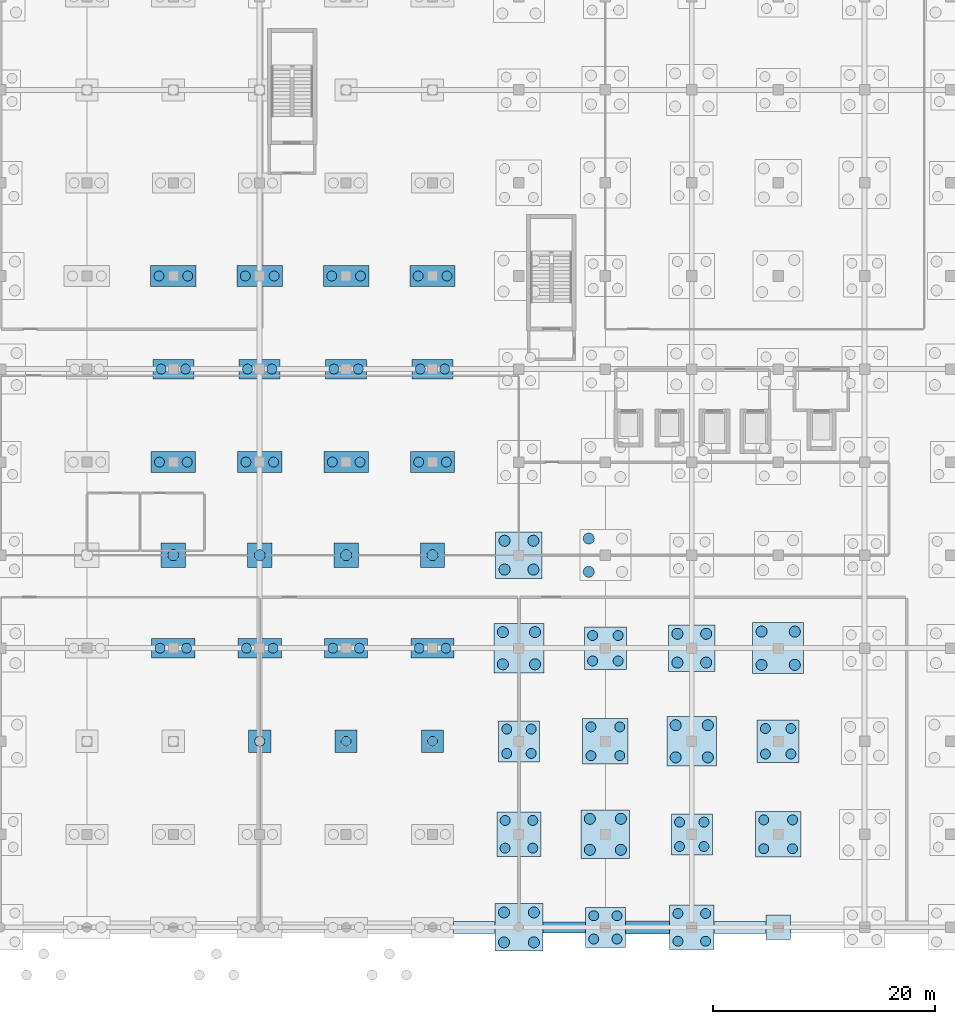
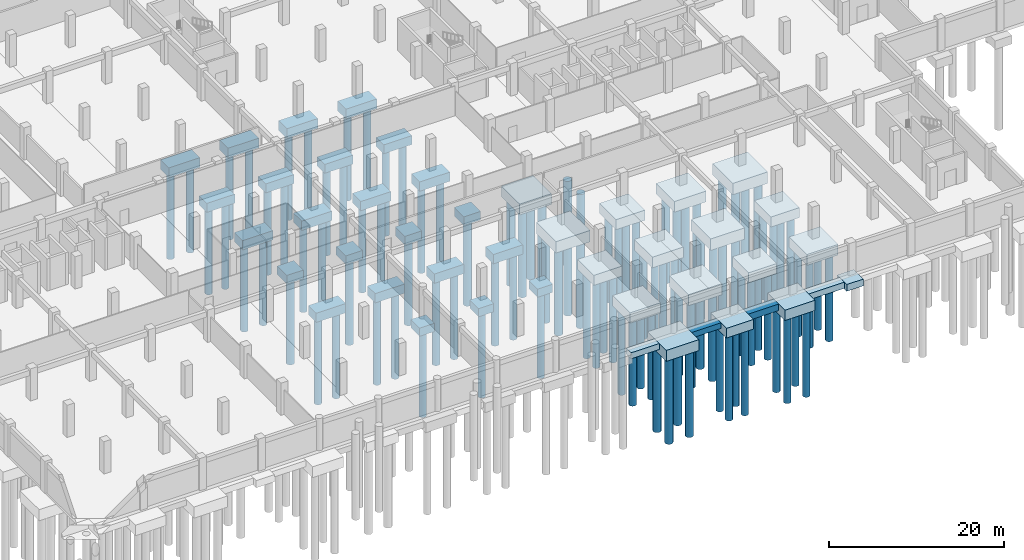
# One storey, part 3 of 30: 105 piles, 44 footings.
"""IFC4 building model written with IfcOpenShell, lengths in metres."""

from ifc_helpers import new_model, si_unit, direction, frame, origin, origin_2d, place, context, subcontext, project, spatial, rectangle, circle, extrude, material, layer, layer_set, material_profile, profile_set, type_object, element, save


model = new_model("IFC4")

# Units and contexts
model_context = context("Model", 3, precision=1e-05, world=origin(), true_north=direction((0.0, 1.0)))
body_context = subcontext(model_context, "Body", "Model", "MODEL_VIEW")
ifc_project = project(units=[si_unit("LENGTHUNIT", "METRE"), si_unit("AREAUNIT", "SQUARE_METRE"), si_unit("VOLUMEUNIT", "CUBIC_METRE"), si_unit("PLANEANGLEUNIT", "RADIAN"), si_unit("MASSUNIT", "GRAM", prefix="KILO"), si_unit("THERMODYNAMICTEMPERATUREUNIT", "KELVIN"), si_unit("POWERUNIT", "WATT")], contexts=[model_context])

# Site, building, storey
site_placement = place(None, origin())
site = spatial("IfcSite", under=ifc_project, at=site_placement, CompositionType="ELEMENT")
building_placement = place(site_placement, origin())
building = spatial("IfcBuilding", under=site, at=building_placement, Name="Srebrne Nadtorze General Hospital", CompositionType="ELEMENT")
storey_placement = place(building_placement, frame((0.0, 0.0, -4.5)))
storey = spatial("IfcBuildingStorey", under=building, at=storey_placement, Name="B1", CompositionType="ELEMENT", Elevation=-4.5)

# Piles
ifc_material_1 = material(Name="Concrete C35/45", Category="concrete")
ifc_material_profile_1 = material_profile(ifc_material_1, circle(Radius=0.5, at=origin_2d()), Name="PILE-D1000")
ifc_profile_set_1 = profile_set([ifc_material_profile_1], Name="Concrete C35/45")
pile_type_1 = type_object("IfcPileType", Name="Bored concrete pile D1000", PredefinedType="BORED", material=ifc_profile_set_1)
for number, where, z_axis, x_axis, name in (
    (1, (70.199951171875, 33.60009765625, -1.800048828125), (0.0, 0.0, -1.0), (1.0, 0.0, 0.0), "Bored pile PL-B1-0331"),
    (2, (78.0, 33.60009765625, -1.800048828125), (0.0, 0.0, -1.0), (1.0, 0.0, 0.0), "Bored pile PL-B1-0358"),
    (3, (85.800048828125, 33.60009765625, -1.800048828125), (0.0, 0.0, -1.0), (1.0, 0.0, 0.0), "Bored pile PL-B1-0377"),
    (4, (93.60009765625, 33.60009765625, -1.800048828125), (0.0, 0.0, -1.0), (1.0, 0.0, 0.0), "Bored pile PL-B1-0398"),
    (5, (100.050048828125, -1.35009765625, -2.14990234375), (0.0, 0.0, -1.0), (1.0, 0.0, 0.0), "Bored pile PL-B1-0412"),
    (6, (102.75, -1.35009765625, -2.14990234375), (0.0, 0.0, -1.0), (1.0, 0.0, 0.0), "Bored pile PL-B1-0413"),
    (7, (102.75, 1.35009765625, -2.14990234375), (0.0, 0.0, -1.0), (1.0, 0.0, 0.0), "Bored pile PL-B1-0414"),
    (8, (100.050048828125, 1.35009765625, -2.14990234375), (0.0, 0.0, -1.0), (1.0, 0.0, 0.0), "Bored pile PL-B1-0415"),
    (9, (99.949951171875, 23.75, -2.199951171875), (0.0, 0.0, -1.0), (1.0, 0.0, 0.0), "Bored pile PL-B1-0424"),
    (10, (102.85009765625, 23.75, -2.199951171875), (0.0, 0.0, -1.0), (1.0, 0.0, 0.0), "Bored pile PL-B1-0425"),
    (11, (102.85009765625, 26.64990234375, -2.199951171875), (0.0, 0.0, -1.0), (1.0, 0.0, 0.0), "Bored pile PL-B1-0426"),
    (12, (99.949951171875, 26.64990234375, -2.199951171875), (0.0, 0.0, -1.0), (1.0, 0.0, 0.0), "Bored pile PL-B1-0427"),
    (13, (100.10009765625, 32.300048828125, -2.10009765625), (0.0, 0.0, -1.0), (1.0, 0.0, 0.0), "Bored pile PL-B1-0428"),
    (14, (102.699951171875, 32.300048828125, -2.10009765625), (0.0, 0.0, -1.0), (1.0, 0.0, 0.0), "Bored pile PL-B1-0429"),
    (15, (102.699951171875, 34.89990234375, -2.10009765625), (0.0, 0.0, -1.0), (1.0, 0.0, 0.0), "Bored pile PL-B1-0430"),
    (16, (100.10009765625, 34.89990234375, -2.10009765625), (0.0, 0.0, -1.0), (1.0, 0.0, 0.0), "Bored pile PL-B1-0431"),
    (17, (107.800048828125, 7.0, -2.14990234375), (0.0, 0.0, -1.0), (1.0, 0.0, 0.0), "Bored pile PL-B1-0468"),
    (18, (110.60009765625, 7.0, -2.14990234375), (0.0, 0.0, -1.0), (1.0, 0.0, 0.0), "Bored pile PL-B1-0469"),
    (19, (110.60009765625, 9.800048828125, -2.14990234375), (0.0, 0.0, -1.0), (1.0, 0.0, 0.0), "Bored pile PL-B1-0470"),
    (20, (107.800048828125, 9.800048828125, -2.14990234375), (0.0, 0.0, -1.0), (1.0, 0.0, 0.0), "Bored pile PL-B1-0471"),
    (21, (107.699951171875, 32.10009765625, -2.199951171875), (0.0, 0.0, -1.0), (1.0, 0.0, 0.0), "Bored pile PL-B1-0480"),
    (22, (107.699951171875, 35.10009765625, -2.199951171875), (0.0, 0.0, -1.0), (1.0, 0.0, 0.0), "Bored pile PL-B1-0483"),
    (23, (115.550048828125, 15.35009765625, -2.199951171875), (0.0, 0.0, -1.0), (1.0, 0.0, 0.0), "Bored pile PL-B1-0522"),
    (24, (118.449951171875, 15.35009765625, -2.199951171875), (0.0, 0.0, -1.0), (1.0, 0.0, 0.0), "Bored pile PL-B1-0523"),
    (25, (118.449951171875, 18.25, -2.199951171875), (0.0, 0.0, -1.0), (1.0, 0.0, 0.0), "Bored pile PL-B1-0524"),
    (26, (115.550048828125, 18.25, -2.199951171875), (0.0, 0.0, -1.0), (1.0, 0.0, 0.0), "Bored pile PL-B1-0525"),
    (27, (115.699951171875, 23.89990234375, -2.10009765625), (0.0, 0.0, -1.0), (1.0, 0.0, 0.0), "Bored pile PL-B1-0526"),
    (28, (118.300048828125, 23.89990234375, -2.10009765625), (0.0, 0.0, -1.0), (1.0, 0.0, 0.0), "Bored pile PL-B1-0527"),
    (29, (118.300048828125, 26.5, -2.10009765625), (0.0, 0.0, -1.0), (1.0, 0.0, 0.0), "Bored pile PL-B1-0528"),
    (30, (115.699951171875, 26.5, -2.10009765625), (0.0, 0.0, -1.0), (1.0, 0.0, 0.0), "Bored pile PL-B1-0529"),
    (31, (123.300048828125, 23.699951171875, -2.199951171875), (0.0, 0.0, -1.0), (1.0, 0.0, 0.0), "Bored pile PL-B1-0570"),
    (32, (126.300048828125, 23.699951171875, -2.199951171875), (0.0, 0.0, -1.0), (1.0, 0.0, 0.0), "Bored pile PL-B1-0571"),
    (33, (126.300048828125, 26.699951171875, -2.199951171875), (0.0, 0.0, -1.0), (1.0, 0.0, 0.0), "Bored pile PL-B1-0572"),
    (34, (123.300048828125, 26.699951171875, -2.199951171875), (0.0, 0.0, -1.0), (1.0, 0.0, 0.0), "Bored pile PL-B1-0573"),
):
    element("IfcPile", number, at=place(storey_placement, frame(where, z_axis=z_axis, x_axis=x_axis)), inside=storey, type_object=pile_type_1, Name=name, PredefinedType="BORED", context=body_context, shape_type="SweptSolid", body=[
        extrude(circle(Radius=0.5, at=origin_2d()), origin(), (0.0, 0.0, 1.0), 12.0),
    ])
ifc_material_2 = material(Name="Concrete C35/45", Category="concrete")
ifc_material_profile_2 = material_profile(ifc_material_2, circle(Radius=0.449951171875, at=origin_2d()), Name="PILE-D900")
ifc_profile_set_2 = profile_set([ifc_material_profile_2], Name="Concrete C35/45")
pile_type_2 = type_object("IfcPileType", Name="Bored concrete pile D900", PredefinedType="BORED", material=ifc_profile_set_2)
for number, where, z_axis, x_axis, name in (
    (35, (69.0, 25.199951171875, -1.89990234375), (0.0, 0.0, -1.0), (1.0, 0.0, 0.0), "Bored pile PL-B1-0329"),
    (36, (71.39990234375, 25.199951171875, -1.89990234375), (0.0, 0.0, -1.0), (1.0, 0.0, 0.0), "Bored pile PL-B1-0330"),
    (37, (68.949951171875, 42.0, -1.89990234375), (0.0, 0.0, -1.0), (1.0, 0.0, 0.0), "Bored pile PL-B1-0332"),
    (38, (71.449951171875, 42.0, -1.89990234375), (0.0, 0.0, -1.0), (1.0, 0.0, 0.0), "Bored pile PL-B1-0333"),
    (39, (69.10009765625, 50.39990234375, -1.85009765625), (0.0, 0.0, -1.0), (1.0, 0.0, 0.0), "Bored pile PL-B1-0334"),
    (40, (71.300048828125, 50.39990234375, -1.85009765625), (0.0, 0.0, -1.0), (1.0, 0.0, 0.0), "Bored pile PL-B1-0335"),
    (41, (68.89990234375, 58.800048828125, -1.949951171875), (0.0, 0.0, -1.0), (1.0, 0.0, 0.0), "Bored pile PL-B1-0336"),
    (42, (71.5, 58.800048828125, -1.949951171875), (0.0, 0.0, -1.0), (1.0, 0.0, 0.0), "Bored pile PL-B1-0337"),
    (43, (78.0, 16.800048828125, -1.75), (0.0, 0.0, -1.0), (1.0, 0.0, 0.0), "Bored pile PL-B1-0355"),
    (44, (76.800048828125, 25.199951171875, -1.89990234375), (0.0, 0.0, -1.0), (1.0, 0.0, 0.0), "Bored pile PL-B1-0356"),
    (45, (79.199951171875, 25.199951171875, -1.89990234375), (0.0, 0.0, -1.0), (1.0, 0.0, 0.0), "Bored pile PL-B1-0357"),
    (46, (76.75, 42.0, -1.89990234375), (0.0, 0.0, -1.0), (1.0, 0.0, 0.0), "Bored pile PL-B1-0359"),
    (47, (79.25, 42.0, -1.89990234375), (0.0, 0.0, -1.0), (1.0, 0.0, 0.0), "Bored pile PL-B1-0360"),
    (48, (76.89990234375, 50.39990234375, -1.85009765625), (0.0, 0.0, -1.0), (1.0, 0.0, 0.0), "Bored pile PL-B1-0361"),
    (49, (79.10009765625, 50.39990234375, -1.85009765625), (0.0, 0.0, -1.0), (1.0, 0.0, 0.0), "Bored pile PL-B1-0362"),
    (50, (76.699951171875, 58.800048828125, -1.949951171875), (0.0, 0.0, -1.0), (1.0, 0.0, 0.0), "Bored pile PL-B1-0363"),
    (51, (79.300048828125, 58.800048828125, -1.949951171875), (0.0, 0.0, -1.0), (1.0, 0.0, 0.0), "Bored pile PL-B1-0364"),
    (52, (85.800048828125, 16.800048828125, -1.75), (0.0, 0.0, -1.0), (1.0, 0.0, 0.0), "Bored pile PL-B1-0374"),
    (53, (84.60009765625, 25.199951171875, -1.89990234375), (0.0, 0.0, -1.0), (1.0, 0.0, 0.0), "Bored pile PL-B1-0375"),
    (54, (87.0, 25.199951171875, -1.89990234375), (0.0, 0.0, -1.0), (1.0, 0.0, 0.0), "Bored pile PL-B1-0376"),
    (55, (84.550048828125, 42.0, -1.89990234375), (0.0, 0.0, -1.0), (1.0, 0.0, 0.0), "Bored pile PL-B1-0378"),
    (56, (87.050048828125, 42.0, -1.89990234375), (0.0, 0.0, -1.0), (1.0, 0.0, 0.0), "Bored pile PL-B1-0379"),
    (57, (84.699951171875, 50.39990234375, -1.85009765625), (0.0, 0.0, -1.0), (1.0, 0.0, 0.0), "Bored pile PL-B1-0380"),
    (58, (86.89990234375, 50.39990234375, -1.85009765625), (0.0, 0.0, -1.0), (1.0, 0.0, 0.0), "Bored pile PL-B1-0381"),
    (59, (84.5, 58.800048828125, -1.949951171875), (0.0, 0.0, -1.0), (1.0, 0.0, 0.0), "Bored pile PL-B1-0382"),
    (60, (87.10009765625, 58.800048828125, -1.949951171875), (0.0, 0.0, -1.0), (1.0, 0.0, 0.0), "Bored pile PL-B1-0383"),
    (61, (93.60009765625, 16.800048828125, -1.75), (0.0, 0.0, -1.0), (1.0, 0.0, 0.0), "Bored pile PL-B1-0395"),
    (62, (92.39990234375, 25.199951171875, -1.89990234375), (0.0, 0.0, -1.0), (1.0, 0.0, 0.0), "Bored pile PL-B1-0396"),
    (63, (94.800048828125, 25.199951171875, -1.89990234375), (0.0, 0.0, -1.0), (1.0, 0.0, 0.0), "Bored pile PL-B1-0397"),
    (64, (92.35009765625, 42.0, -1.89990234375), (0.0, 0.0, -1.0), (1.0, 0.0, 0.0), "Bored pile PL-B1-0399"),
    (65, (94.85009765625, 42.0, -1.89990234375), (0.0, 0.0, -1.0), (1.0, 0.0, 0.0), "Bored pile PL-B1-0400"),
    (66, (92.5, 50.39990234375, -1.85009765625), (0.0, 0.0, -1.0), (1.0, 0.0, 0.0), "Bored pile PL-B1-0401"),
    (67, (94.699951171875, 50.39990234375, -1.85009765625), (0.0, 0.0, -1.0), (1.0, 0.0, 0.0), "Bored pile PL-B1-0402"),
    (68, (92.300048828125, 58.800048828125, -1.949951171875), (0.0, 0.0, -1.0), (1.0, 0.0, 0.0), "Bored pile PL-B1-0403"),
    (69, (94.89990234375, 58.800048828125, -1.949951171875), (0.0, 0.0, -1.0), (1.0, 0.0, 0.0), "Bored pile PL-B1-0404"),
    (70, (100.14990234375, 7.14990234375, -2.050048828125), (0.0, 0.0, -1.0), (1.0, 0.0, 0.0), "Bored pile PL-B1-0416"),
    (71, (102.64990234375, 7.14990234375, -2.050048828125), (0.0, 0.0, -1.0), (1.0, 0.0, 0.0), "Bored pile PL-B1-0417"),
    (72, (102.64990234375, 9.64990234375, -2.050048828125), (0.0, 0.0, -1.0), (1.0, 0.0, 0.0), "Bored pile PL-B1-0418"),
    (73, (100.14990234375, 9.64990234375, -2.050048828125), (0.0, 0.0, -1.0), (1.0, 0.0, 0.0), "Bored pile PL-B1-0419"),
    (74, (100.300048828125, 15.699951171875, -2.0), (0.0, 0.0, -1.0), (1.0, 0.0, 0.0), "Bored pile PL-B1-0420"),
    (75, (102.5, 15.699951171875, -2.0), (0.0, 0.0, -1.0), (1.0, 0.0, 0.0), "Bored pile PL-B1-0421"),
    (76, (102.5, 17.89990234375, -2.0), (0.0, 0.0, -1.0), (1.0, 0.0, 0.0), "Bored pile PL-B1-0422"),
    (77, (100.300048828125, 17.89990234375, -2.0), (0.0, 0.0, -1.0), (1.0, 0.0, 0.0), "Bored pile PL-B1-0423"),
    (78, (108.14990234375, -1.050048828125, -1.949951171875), (0.0, 0.0, -1.0), (1.0, 0.0, 0.0), "Bored pile PL-B1-0464"),
    (79, (110.25, -1.050048828125, -1.949951171875), (0.0, 0.0, -1.0), (1.0, 0.0, 0.0), "Bored pile PL-B1-0465"),
    (80, (110.25, 1.050048828125, -1.949951171875), (0.0, 0.0, -1.0), (1.0, 0.0, 0.0), "Bored pile PL-B1-0466"),
    (81, (108.14990234375, 1.050048828125, -1.949951171875), (0.0, 0.0, -1.0), (1.0, 0.0, 0.0), "Bored pile PL-B1-0467"),
    (82, (107.89990234375, 15.5, -2.10009765625), (0.0, 0.0, -1.0), (1.0, 0.0, 0.0), "Bored pile PL-B1-0472"),
    (83, (110.5, 15.5, -2.10009765625), (0.0, 0.0, -1.0), (1.0, 0.0, 0.0), "Bored pile PL-B1-0473"),
    (84, (110.5, 18.10009765625, -2.10009765625), (0.0, 0.0, -1.0), (1.0, 0.0, 0.0), "Bored pile PL-B1-0474"),
    (85, (107.89990234375, 18.10009765625, -2.10009765625), (0.0, 0.0, -1.0), (1.0, 0.0, 0.0), "Bored pile PL-B1-0475"),
    (86, (108.050048828125, 24.050048828125, -2.0), (0.0, 0.0, -1.0), (1.0, 0.0, 0.0), "Bored pile PL-B1-0476"),
    (87, (110.35009765625, 24.050048828125, -2.0), (0.0, 0.0, -1.0), (1.0, 0.0, 0.0), "Bored pile PL-B1-0477"),
    (88, (110.35009765625, 26.35009765625, -2.0), (0.0, 0.0, -1.0), (1.0, 0.0, 0.0), "Bored pile PL-B1-0478"),
    (89, (108.050048828125, 26.35009765625, -2.0), (0.0, 0.0, -1.0), (1.0, 0.0, 0.0), "Bored pile PL-B1-0479"),
    (90, (115.75, -1.25, -2.050048828125), (0.0, 0.0, -1.0), (1.0, 0.0, 0.0), "Bored pile PL-B1-0514"),
    (91, (118.25, -1.25, -2.050048828125), (0.0, 0.0, -1.0), (1.0, 0.0, 0.0), "Bored pile PL-B1-0515"),
    (92, (118.25, 1.25, -2.050048828125), (0.0, 0.0, -1.0), (1.0, 0.0, 0.0), "Bored pile PL-B1-0516"),
    (93, (115.75, 1.25, -2.050048828125), (0.0, 0.0, -1.0), (1.0, 0.0, 0.0), "Bored pile PL-B1-0517"),
    (94, (115.89990234375, 7.300048828125, -2.0), (0.0, 0.0, -1.0), (1.0, 0.0, 0.0), "Bored pile PL-B1-0518"),
    (95, (118.10009765625, 7.300048828125, -2.0), (0.0, 0.0, -1.0), (1.0, 0.0, 0.0), "Bored pile PL-B1-0519"),
    (96, (118.10009765625, 9.5, -2.0), (0.0, 0.0, -1.0), (1.0, 0.0, 0.0), "Bored pile PL-B1-0520"),
    (97, (115.89990234375, 9.5, -2.0), (0.0, 0.0, -1.0), (1.0, 0.0, 0.0), "Bored pile PL-B1-0521"),
    (98, (123.5, 7.10009765625, -2.10009765625), (0.0, 0.0, -1.0), (1.0, 0.0, 0.0), "Bored pile PL-B1-0562"),
    (99, (126.10009765625, 7.10009765625, -2.10009765625), (0.0, 0.0, -1.0), (1.0, 0.0, 0.0), "Bored pile PL-B1-0563"),
    (100, (126.10009765625, 9.699951171875, -2.10009765625), (0.0, 0.0, -1.0), (1.0, 0.0, 0.0), "Bored pile PL-B1-0564"),
    (101, (123.5, 9.699951171875, -2.10009765625), (0.0, 0.0, -1.0), (1.0, 0.0, 0.0), "Bored pile PL-B1-0565"),
    (102, (123.64990234375, 15.64990234375, -2.0), (0.0, 0.0, -1.0), (1.0, 0.0, 0.0), "Bored pile PL-B1-0566"),
    (103, (125.949951171875, 15.64990234375, -2.0), (0.0, 0.0, -1.0), (1.0, 0.0, 0.0), "Bored pile PL-B1-0567"),
    (104, (125.949951171875, 17.949951171875, -2.0), (0.0, 0.0, -1.0), (1.0, 0.0, 0.0), "Bored pile PL-B1-0568"),
    (105, (123.64990234375, 17.949951171875, -2.0), (0.0, 0.0, -1.0), (1.0, 0.0, 0.0), "Bored pile PL-B1-0569"),
):
    element("IfcPile", number, at=place(storey_placement, frame(where, z_axis=z_axis, x_axis=x_axis)), inside=storey, type_object=pile_type_2, Name=name, PredefinedType="BORED", context=body_context, shape_type="SweptSolid", body=[
        extrude(circle(Radius=0.449951171875, at=origin_2d()), origin(), (0.0, 0.0, 1.0), 12.0),
    ])

# Footings
ifc_material_3 = material(Name="Concrete C35/45", Category="concrete")
ifc_layer_1 = layer(ifc_material_3, 1.14990234375)
ifc_layer_set_1 = layer_set([ifc_layer_1], Name="Concrete C35/45")
footing_type_1 = type_object("IfcFootingType", Name="Bored pile cap 2000x2000x1150", PredefinedType="PILE_CAP", material=ifc_layer_set_1)
for number, where, z_axis, x_axis, name in (
    (106, (78.0, 16.800048828125, -1.75), (0.0, 0.0, 1.0), (1.0, 0.0, 0.0), "Pile cap FT-B1-11-C"),
    (107, (85.800048828125, 16.800048828125, -1.75), (0.0, 0.0, 1.0), (1.0, 0.0, 0.0), "Pile cap FT-B1-12-C"),
    (108, (93.60009765625, 16.800048828125, -1.75), (0.0, 0.0, 1.0), (1.0, 0.0, 0.0), "Pile cap FT-B1-13-C"),
):
    element("IfcFooting", number, at=place(storey_placement, frame(where, z_axis=z_axis, x_axis=x_axis)), inside=storey, type_object=footing_type_1, Name=name, PredefinedType="PILE_CAP", context=body_context, shape_type="SweptSolid", body=[
        extrude(rectangle(XDim=2.0, YDim=2.0, at=origin_2d()), origin(), (0.0, 0.0, 1.0), 1.14990234375),
    ])
ifc_material_4 = material(Name="Concrete C35/45", Category="concrete")
ifc_layer_2 = layer(ifc_material_4, 1.199951171875)
ifc_layer_set_2 = layer_set([ifc_layer_2], Name="Concrete C35/45")
footing_type_2 = type_object("IfcFootingType", Name="Bored pile cap 2200x2200x1200", PredefinedType="PILE_CAP", material=ifc_layer_set_2)
for number, where, z_axis, x_axis, name in (
    (109, (70.199951171875, 33.60009765625, -1.7998046875), (0.0, 0.0, 1.0), (1.0, 0.0, 0.0), "Pile cap FT-B1-10-E"),
    (110, (78.0, 33.60009765625, -1.7998046875), (0.0, 0.0, 1.0), (1.0, 0.0, 0.0), "Pile cap FT-B1-11-E"),
    (111, (85.800048828125, 33.60009765625, -1.7998046875), (0.0, 0.0, 1.0), (1.0, 0.0, 0.0), "Pile cap FT-B1-12-E"),
    (112, (93.60009765625, 33.60009765625, -1.7998046875), (0.0, 0.0, 1.0), (1.0, 0.0, 0.0), "Pile cap FT-B1-13-E"),
):
    element("IfcFooting", number, at=place(storey_placement, frame(where, z_axis=z_axis, x_axis=x_axis)), inside=storey, type_object=footing_type_2, Name=name, PredefinedType="PILE_CAP", context=body_context, shape_type="SweptSolid", body=[
        extrude(rectangle(XDim=2.199951171875, YDim=2.199951171875, at=origin_2d()), origin(), (0.0, 0.0, 1.0), 1.199951171875),
    ])
ifc_material_5 = material(Name="Concrete C35/45", Category="concrete")
ifc_layer_3 = layer(ifc_material_5, 1.35009765625)
ifc_layer_set_3 = layer_set([ifc_layer_3], Name="Concrete C35/45")
footing_type_3 = type_object("IfcFootingType", Name="Bored pile cap 3600x3600x1350", PredefinedType="PILE_CAP", material=ifc_layer_set_3)
footing_1_placement = place(storey_placement, frame((109.199951171875, 0.0, -1.949951171875), z_axis=(0.0, 0.0, 1.0), x_axis=(1.0, 0.0, 0.0)))
element("IfcFooting", 113, at=footing_1_placement, inside=storey, type_object=footing_type_3, Name="Pile cap FT-B1-15-A", PredefinedType="PILE_CAP", context=body_context, shape_type="SweptSolid", body=[
    extrude(rectangle(XDim=3.60009765625, YDim=3.60009765625, at=origin_2d()), origin(), (0.0, 0.0, 1.0), 1.35009765625),
])
ifc_material_6 = material(Name="Concrete C35/45", Category="concrete")
ifc_layer_4 = layer(ifc_material_6, 1.25)
ifc_layer_set_4 = layer_set([ifc_layer_4], Name="Concrete C35/45")
footing_type_4 = type_object("IfcFootingType", Name="Bored pile cap 3700x1750x1250", PredefinedType="PILE_CAP", material=ifc_layer_set_4)
for number, where, z_axis, x_axis, name in (
    (114, (70.199951171875, 50.39990234375, -1.85009765625), (0.0, 0.0, 1.0), (1.0, 0.0, 0.0), "Pile cap FT-B1-10-G"),
    (115, (78.0, 50.39990234375, -1.85009765625), (0.0, 0.0, 1.0), (1.0, 0.0, 0.0), "Pile cap FT-B1-11-G"),
    (116, (85.800048828125, 50.39990234375, -1.85009765625), (0.0, 0.0, 1.0), (1.0, 0.0, 0.0), "Pile cap FT-B1-12-G"),
    (117, (93.60009765625, 50.39990234375, -1.85009765625), (0.0, 0.0, 1.0), (1.0, 0.0, 0.0), "Pile cap FT-B1-13-G"),
):
    element("IfcFooting", number, at=place(storey_placement, frame(where, z_axis=z_axis, x_axis=x_axis)), inside=storey, type_object=footing_type_4, Name=name, PredefinedType="PILE_CAP", context=body_context, shape_type="SweptSolid", body=[
        extrude(rectangle(XDim=3.699951171875, YDim=1.75, at=origin_2d()), origin(), (0.0, 0.0, 1.0), 1.25),
    ])
ifc_material_7 = material(Name="Concrete C35/45", Category="concrete")
ifc_layer_5 = layer(ifc_material_7, 1.39990234375)
ifc_layer_set_5 = layer_set([ifc_layer_5], Name="Concrete C35/45")
footing_type_5 = type_object("IfcFootingType", Name="Bored pile cap 3700x3700x1400", PredefinedType="PILE_CAP", material=ifc_layer_set_5)
for number, where, z_axis, x_axis, name in (
    (118, (101.39990234375, 16.800048828125, -2.0), (0.0, 0.0, 1.0), (1.0, 0.0, 0.0), "Pile cap FT-B1-14-C"),
    (119, (117.0, 8.39990234375, -2.0), (0.0, 0.0, 1.0), (1.0, 0.0, 0.0), "Pile cap FT-B1-16-B"),
):
    element("IfcFooting", number, at=place(storey_placement, frame(where, z_axis=z_axis, x_axis=x_axis)), inside=storey, type_object=footing_type_5, Name=name, PredefinedType="PILE_CAP", context=body_context, shape_type="SweptSolid", body=[
        extrude(rectangle(XDim=3.699951171875, YDim=3.699951171875, at=origin_2d()), origin(), (0.0, 0.0, 1.0), 1.39990234375),
    ])
ifc_material_8 = material(Name="Concrete C35/45", Category="concrete")
ifc_layer_6 = layer(ifc_material_8, 1.39990234375)
ifc_layer_set_6 = layer_set([ifc_layer_6], Name="Concrete C35/45")
footing_type_6 = type_object("IfcFootingType", Name="Bored pile cap 3800x3800x1400", PredefinedType="PILE_CAP", material=ifc_layer_set_6)
for number, where, z_axis, x_axis, name in (
    (120, (109.199951171875, 25.199951171875, -2.0), (0.0, 0.0, 1.0), (1.0, 0.0, 0.0), "Pile cap FT-B1-15-D"),
    (121, (124.800048828125, 16.800048828125, -2.0), (0.0, 0.0, 1.0), (1.0, 0.0, 0.0), "Pile cap FT-B1-17-C"),
):
    element("IfcFooting", number, at=place(storey_placement, frame(where, z_axis=z_axis, x_axis=x_axis)), inside=storey, type_object=footing_type_6, Name=name, PredefinedType="PILE_CAP", context=body_context, shape_type="SweptSolid", body=[
        extrude(rectangle(XDim=3.800048828125, YDim=3.800048828125, at=origin_2d()), origin(), (0.0, 0.0, 1.0), 1.39990234375),
    ])
ifc_material_9 = material(Name="Concrete C35/45", Category="concrete")
ifc_layer_7 = layer(ifc_material_9, 1.300048828125)
ifc_layer_set_7 = layer_set([ifc_layer_7], Name="Concrete C35/45")
footing_type_7 = type_object("IfcFootingType", Name="Bored pile cap 3900x1800x1300", PredefinedType="PILE_CAP", material=ifc_layer_set_7)
for number, where, z_axis, x_axis, name in (
    (122, (70.199951171875, 25.199951171875, -1.89990234375), (0.0, 0.0, 1.0), (1.0, 0.0, 0.0), "Pile cap FT-B1-10-D"),
    (123, (78.0, 25.199951171875, -1.89990234375), (0.0, 0.0, 1.0), (1.0, 0.0, 0.0), "Pile cap FT-B1-11-D"),
    (124, (85.800048828125, 25.199951171875, -1.89990234375), (0.0, 0.0, 1.0), (1.0, 0.0, 0.0), "Pile cap FT-B1-12-D"),
    (125, (93.60009765625, 25.199951171875, -1.89990234375), (0.0, 0.0, 1.0), (1.0, 0.0, 0.0), "Pile cap FT-B1-13-D"),
):
    element("IfcFooting", number, at=place(storey_placement, frame(where, z_axis=z_axis, x_axis=x_axis)), inside=storey, type_object=footing_type_7, Name=name, PredefinedType="PILE_CAP", context=body_context, shape_type="SweptSolid", body=[
        extrude(rectangle(XDim=3.89990234375, YDim=1.800048828125, at=origin_2d()), origin(), (0.0, 0.0, 1.0), 1.300048828125),
    ])
ifc_material_10 = material(Name="Concrete C35/45", Category="concrete")
ifc_layer_8 = layer(ifc_material_10, 1.300048828125)
ifc_layer_set_8 = layer_set([ifc_layer_8], Name="Concrete C35/45")
footing_type_8 = type_object("IfcFootingType", Name="Bored pile cap 4000x1900x1300", PredefinedType="PILE_CAP", material=ifc_layer_set_8)
for number, where, z_axis, x_axis, name in (
    (126, (70.199951171875, 42.0, -1.89990234375), (0.0, 0.0, 1.0), (1.0, 0.0, 0.0), "Pile cap FT-B1-10-F"),
    (127, (78.0, 42.0, -1.89990234375), (0.0, 0.0, 1.0), (1.0, 0.0, 0.0), "Pile cap FT-B1-11-F"),
    (128, (85.800048828125, 42.0, -1.89990234375), (0.0, 0.0, 1.0), (1.0, 0.0, 0.0), "Pile cap FT-B1-12-F"),
    (129, (93.60009765625, 42.0, -1.89990234375), (0.0, 0.0, 1.0), (1.0, 0.0, 0.0), "Pile cap FT-B1-13-F"),
):
    element("IfcFooting", number, at=place(storey_placement, frame(where, z_axis=z_axis, x_axis=x_axis)), inside=storey, type_object=footing_type_8, Name=name, PredefinedType="PILE_CAP", context=body_context, shape_type="SweptSolid", body=[
        extrude(rectangle(XDim=4.0, YDim=1.89990234375, at=origin_2d()), origin(), (0.0, 0.0, 1.0), 1.300048828125),
    ])
ifc_material_11 = material(Name="Concrete C35/45", Category="concrete")
ifc_layer_9 = layer(ifc_material_11, 1.449951171875)
ifc_layer_set_9 = layer_set([ifc_layer_9], Name="Concrete C35/45")
footing_type_9 = type_object("IfcFootingType", Name="Bored pile cap 4000x4000x1450", PredefinedType="PILE_CAP", material=ifc_layer_set_9)
for number, where, z_axis, x_axis, name in (
    (130, (101.39990234375, 8.39990234375, -2.0498046875), (0.0, 0.0, 1.0), (1.0, 0.0, 0.0), "Pile cap FT-B1-14-B"),
    (131, (117.0, 0.0, -2.0498046875), (0.0, 0.0, 1.0), (1.0, 0.0, 0.0), "Pile cap FT-B1-16-A"),
):
    element("IfcFooting", number, at=place(storey_placement, frame(where, z_axis=z_axis, x_axis=x_axis)), inside=storey, type_object=footing_type_9, Name=name, PredefinedType="PILE_CAP", context=body_context, shape_type="SweptSolid", body=[
        extrude(rectangle(XDim=4.0, YDim=4.0, at=origin_2d()), origin(), (0.0, 0.0, 1.0), 1.449951171875),
    ])
ifc_material_12 = material(Name="Concrete C35/45", Category="concrete")
ifc_layer_10 = layer(ifc_material_12, 1.35009765625)
ifc_layer_set_10 = layer_set([ifc_layer_10], Name="Concrete C35/45")
footing_type_10 = type_object("IfcFootingType", Name="Bored pile cap 4100x1900x1350", PredefinedType="PILE_CAP", material=ifc_layer_set_10)
for number, where, z_axis, x_axis, name in (
    (132, (70.199951171875, 58.800048828125, -1.949951171875), (0.0, 0.0, 1.0), (1.0, 0.0, 0.0), "Pile cap FT-B1-10-H"),
    (133, (78.0, 58.800048828125, -1.949951171875), (0.0, 0.0, 1.0), (1.0, 0.0, 0.0), "Pile cap FT-B1-11-H"),
    (134, (85.800048828125, 58.800048828125, -1.949951171875), (0.0, 0.0, 1.0), (1.0, 0.0, 0.0), "Pile cap FT-B1-12-H"),
    (135, (93.60009765625, 58.800048828125, -1.949951171875), (0.0, 0.0, 1.0), (1.0, 0.0, 0.0), "Pile cap FT-B1-13-H"),
):
    element("IfcFooting", number, at=place(storey_placement, frame(where, z_axis=z_axis, x_axis=x_axis)), inside=storey, type_object=footing_type_10, Name=name, PredefinedType="PILE_CAP", context=body_context, shape_type="SweptSolid", body=[
        extrude(rectangle(XDim=4.10009765625, YDim=1.89990234375, at=origin_2d()), origin(), (0.0, 0.0, 1.0), 1.35009765625),
    ])
ifc_material_13 = material(Name="Concrete C35/45", Category="concrete")
ifc_layer_11 = layer(ifc_material_13, 1.5)
ifc_layer_set_11 = layer_set([ifc_layer_11], Name="Concrete C35/45")
footing_type_11 = type_object("IfcFootingType", Name="Bored pile cap 4100x4100x1500", PredefinedType="PILE_CAP", material=ifc_layer_set_11)
for number, where, z_axis, x_axis, name in (
    (136, (109.199951171875, 16.800048828125, -2.10009765625), (0.0, 0.0, 1.0), (1.0, 0.0, 0.0), "Pile cap FT-B1-15-C"),
    (137, (124.800048828125, 8.39990234375, -2.10009765625), (0.0, 0.0, 1.0), (1.0, 0.0, 0.0), "Pile cap FT-B1-17-B"),
):
    element("IfcFooting", number, at=place(storey_placement, frame(where, z_axis=z_axis, x_axis=x_axis)), inside=storey, type_object=footing_type_11, Name=name, PredefinedType="PILE_CAP", context=body_context, shape_type="SweptSolid", body=[
        extrude(rectangle(XDim=4.10009765625, YDim=4.10009765625, at=origin_2d()), origin(), (0.0, 0.0, 1.0), 1.5),
    ])
ifc_material_14 = material(Name="Concrete C35/45", Category="concrete")
ifc_layer_12 = layer(ifc_material_14, 1.5)
ifc_layer_set_12 = layer_set([ifc_layer_12], Name="Concrete C35/45")
footing_type_12 = type_object("IfcFootingType", Name="Bored pile cap 4200x4200x1500", PredefinedType="PILE_CAP", material=ifc_layer_set_12)
for number, where, z_axis, x_axis, name in (
    (138, (101.39990234375, 33.60009765625, -2.10009765625), (0.0, 0.0, 1.0), (1.0, 0.0, 0.0), "Pile cap FT-B1-14-E"),
    (139, (117.0, 25.199951171875, -2.10009765625), (0.0, 0.0, 1.0), (1.0, 0.0, 0.0), "Pile cap FT-B1-16-D"),
):
    element("IfcFooting", number, at=place(storey_placement, frame(where, z_axis=z_axis, x_axis=x_axis)), inside=storey, type_object=footing_type_12, Name=name, PredefinedType="PILE_CAP", context=body_context, shape_type="SweptSolid", body=[
        extrude(rectangle(XDim=4.199951171875, YDim=4.199951171875, at=origin_2d()), origin(), (0.0, 0.0, 1.0), 1.5),
    ])
ifc_material_15 = material(Name="Concrete C35/45", Category="concrete")
ifc_layer_13 = layer(ifc_material_15, 1.550048828125)
ifc_layer_set_13 = layer_set([ifc_layer_13], Name="Concrete C35/45")
footing_type_13 = type_object("IfcFootingType", Name="Bored pile cap 4300x4300x1550", PredefinedType="PILE_CAP", material=ifc_layer_set_13)
footing_2_placement = place(storey_placement, frame((101.39990234375, 0.0, -2.14990234375), z_axis=(0.0, 0.0, 1.0), x_axis=(1.0, 0.0, 0.0)))
element("IfcFooting", 140, at=footing_2_placement, inside=storey, type_object=footing_type_13, Name="Pile cap FT-B1-14-A", PredefinedType="PILE_CAP", context=body_context, shape_type="SweptSolid", body=[
    extrude(rectangle(XDim=4.300048828125, YDim=4.300048828125, at=origin_2d()), origin(), (0.0, 0.0, 1.0), 1.550048828125),
])
ifc_material_16 = material(Name="Concrete C35/45", Category="concrete")
ifc_layer_14 = layer(ifc_material_16, 1.550048828125)
ifc_layer_set_14 = layer_set([ifc_layer_14], Name="Concrete C35/45")
footing_type_14 = type_object("IfcFootingType", Name="Bored pile cap 4400x4400x1550", PredefinedType="PILE_CAP", material=ifc_layer_set_14)
footing_3_placement = place(storey_placement, frame((109.199951171875, 8.39990234375, -2.14990234375), z_axis=(0.0, 0.0, 1.0), x_axis=(1.0, 0.0, 0.0)))
element("IfcFooting", 141, at=footing_3_placement, inside=storey, type_object=footing_type_14, Name="Pile cap FT-B1-15-B", PredefinedType="PILE_CAP", context=body_context, shape_type="SweptSolid", body=[
    extrude(rectangle(XDim=4.39990234375, YDim=4.39990234375, at=origin_2d()), origin(), (0.0, 0.0, 1.0), 1.550048828125),
])
ifc_material_17 = material(Name="Concrete C35/45", Category="concrete")
ifc_layer_15 = layer(ifc_material_17, 1.60009765625)
ifc_layer_set_15 = layer_set([ifc_layer_15], Name="Concrete C35/45")
footing_type_15 = type_object("IfcFootingType", Name="Bored pile cap 4500x4500x1600", PredefinedType="PILE_CAP", material=ifc_layer_set_15)
for number, where, z_axis, x_axis, name in (
    (142, (101.39990234375, 25.199951171875, -2.199951171875), (0.0, 0.0, 1.0), (1.0, 0.0, 0.0), "Pile cap FT-B1-14-D"),
    (143, (117.0, 16.800048828125, -2.199951171875), (0.0, 0.0, 1.0), (1.0, 0.0, 0.0), "Pile cap FT-B1-16-C"),
):
    element("IfcFooting", number, at=place(storey_placement, frame(where, z_axis=z_axis, x_axis=x_axis)), inside=storey, type_object=footing_type_15, Name=name, PredefinedType="PILE_CAP", context=body_context, shape_type="SweptSolid", body=[
        extrude(rectangle(XDim=4.5, YDim=4.5, at=origin_2d()), origin(), (0.0, 0.0, 1.0), 1.60009765625),
    ])
ifc_material_18 = material(Name="Concrete C35/45", Category="concrete")
ifc_layer_16 = layer(ifc_material_18, 1.60009765625)
ifc_layer_set_16 = layer_set([ifc_layer_16], Name="Concrete C35/45")
footing_type_16 = type_object("IfcFootingType", Name="Bored pile cap 4600x4600x1600", PredefinedType="PILE_CAP", material=ifc_layer_set_16)
footing_4_placement = place(storey_placement, frame((124.800048828125, 25.199951171875, -2.199951171875), z_axis=(0.0, 0.0, 1.0), x_axis=(1.0, 0.0, 0.0)))
element("IfcFooting", 144, at=footing_4_placement, inside=storey, type_object=footing_type_16, Name="Pile cap FT-B1-17-D", PredefinedType="PILE_CAP", context=body_context, shape_type="SweptSolid", body=[
    extrude(rectangle(XDim=4.60009765625, YDim=4.60009765625, at=origin_2d()), origin(), (0.0, 0.0, 1.0), 1.60009765625),
])
ifc_material_19 = material(Name="Concrete C35/45", Category="concrete")
ifc_layer_17 = layer(ifc_material_19, 0.949951171875)
ifc_layer_set_17 = layer_set([ifc_layer_17], Name="Concrete C35/45")
footing_type_17 = type_object("IfcFootingType", Name="Isolated pad footing 2200x2200x950", PredefinedType="PAD_FOOTING", material=ifc_layer_set_17)
footing_5_placement = place(storey_placement, frame((124.800048828125, 0.0, -1.5498046875), z_axis=(0.0, 0.0, 1.0), x_axis=(1.0, 0.0, 0.0)))
element("IfcFooting", 145, at=footing_5_placement, inside=storey, type_object=footing_type_17, Name="Pad footing FT-B1-17-A", PredefinedType="PAD_FOOTING", context=body_context, shape_type="SweptSolid", body=[
    extrude(rectangle(XDim=2.199951171875, YDim=2.199951171875, at=origin_2d()), origin(), (0.0, 0.0, 1.0), 0.949951171875),
])
ifc_material_20 = material(Name="Concrete C35/45", Category="concrete")
ifc_layer_18 = layer(ifc_material_20, 0.800048828125)
ifc_layer_set_18 = layer_set([ifc_layer_18], Name="Concrete C35/45")
footing_type_18 = type_object("IfcFootingType", Name="Wall strip footing 1000x800", PredefinedType="STRIP_FOOTING", material=ifc_layer_set_18)
footing_6_placement = place(storey_placement, frame((105.47509765625, 0.0, -1.39990234375), z_axis=(0.0, 0.0, 1.0), x_axis=(1.0, 0.0, 0.0)))
element("IfcFooting", 146, at=footing_6_placement, inside=storey, type_object=footing_type_18, Name="Wall strip footing SF-B1-21", PredefinedType="STRIP_FOOTING", context=body_context, shape_type="SweptSolid", body=[
    extrude(rectangle(XDim=3.85009765625, YDim=1.0, at=origin_2d()), origin(), (0.0, 0.0, 1.0), 0.800048828125),
])
ifc_material_21 = material(Name="Concrete C35/45", Category="concrete")
ifc_layer_19 = layer(ifc_material_21, 0.85009765625)
ifc_layer_set_19 = layer_set([ifc_layer_19], Name="Concrete C35/45")
footing_type_19 = type_object("IfcFootingType", Name="Wall strip footing 1100x850", PredefinedType="STRIP_FOOTING", material=ifc_layer_set_19)
footing_7_placement = place(storey_placement, frame((97.375, 0.0, -1.449951171875), z_axis=(0.0, 0.0, 1.0), x_axis=(1.0, 0.0, 0.0)))
element("IfcFooting", 147, at=footing_7_placement, inside=storey, type_object=footing_type_19, Name="Wall strip footing SF-B1-19", PredefinedType="STRIP_FOOTING", context=body_context, shape_type="SweptSolid", body=[
    extrude(rectangle(XDim=3.75, YDim=1.10009765625, at=origin_2d()), origin(), (0.0, 0.0, 1.0), 0.85009765625),
])
footing_8_placement = place(storey_placement, frame((121.35009765625, 0.0, -1.449951171875), z_axis=(0.0, 0.0, 1.0), x_axis=(1.0, 0.0, 0.0)))
element("IfcFooting", 148, at=footing_8_placement, inside=storey, type_object=footing_type_19, Name="Wall strip footing SF-B1-25", PredefinedType="STRIP_FOOTING", context=body_context, shape_type="SweptSolid", body=[
    extrude(rectangle(XDim=4.699951171875, YDim=1.10009765625, at=origin_2d()), origin(), (0.0, 0.0, 1.0), 0.85009765625),
])
ifc_material_22 = material(Name="Concrete C35/45", Category="concrete")
ifc_layer_20 = layer(ifc_material_22, 0.89990234375)
ifc_layer_set_20 = layer_set([ifc_layer_20], Name="Concrete C35/45")
footing_type_20 = type_object("IfcFootingType", Name="Wall strip footing 1150x900", PredefinedType="STRIP_FOOTING", material=ifc_layer_set_20)
footing_9_placement = place(storey_placement, frame((113.0, 0.0, -1.5), z_axis=(0.0, 0.0, 1.0), x_axis=(1.0, 0.0, 0.0)))
element("IfcFooting", 149, at=footing_9_placement, inside=storey, type_object=footing_type_20, Name="Wall strip footing SF-B1-23", PredefinedType="STRIP_FOOTING", context=body_context, shape_type="SweptSolid", body=[
    extrude(rectangle(XDim=4.0, YDim=1.14990234375, at=origin_2d()), origin(), (0.0, 0.0, 1.0), 0.89990234375),
])

save(model, "model.ifc")
